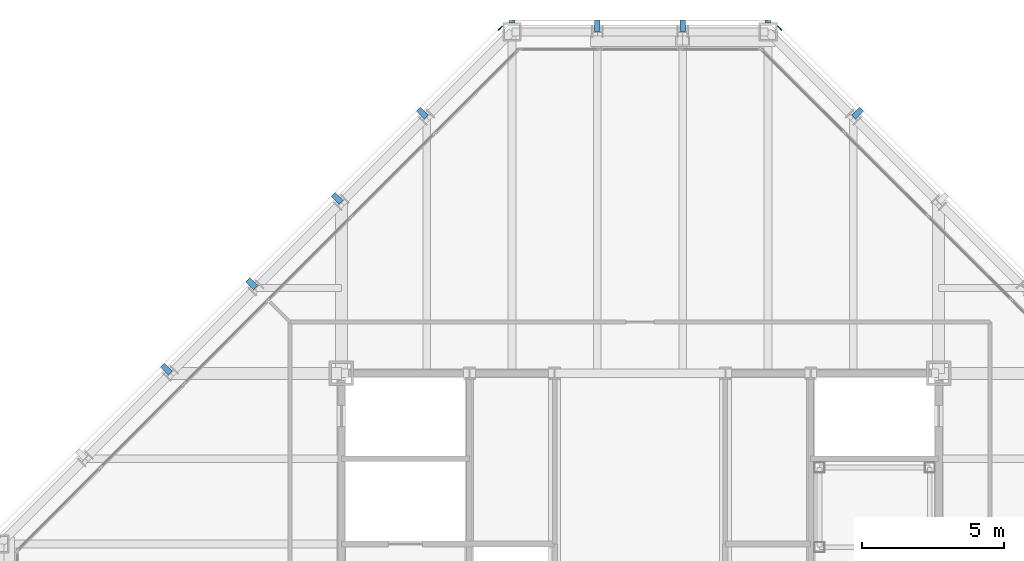
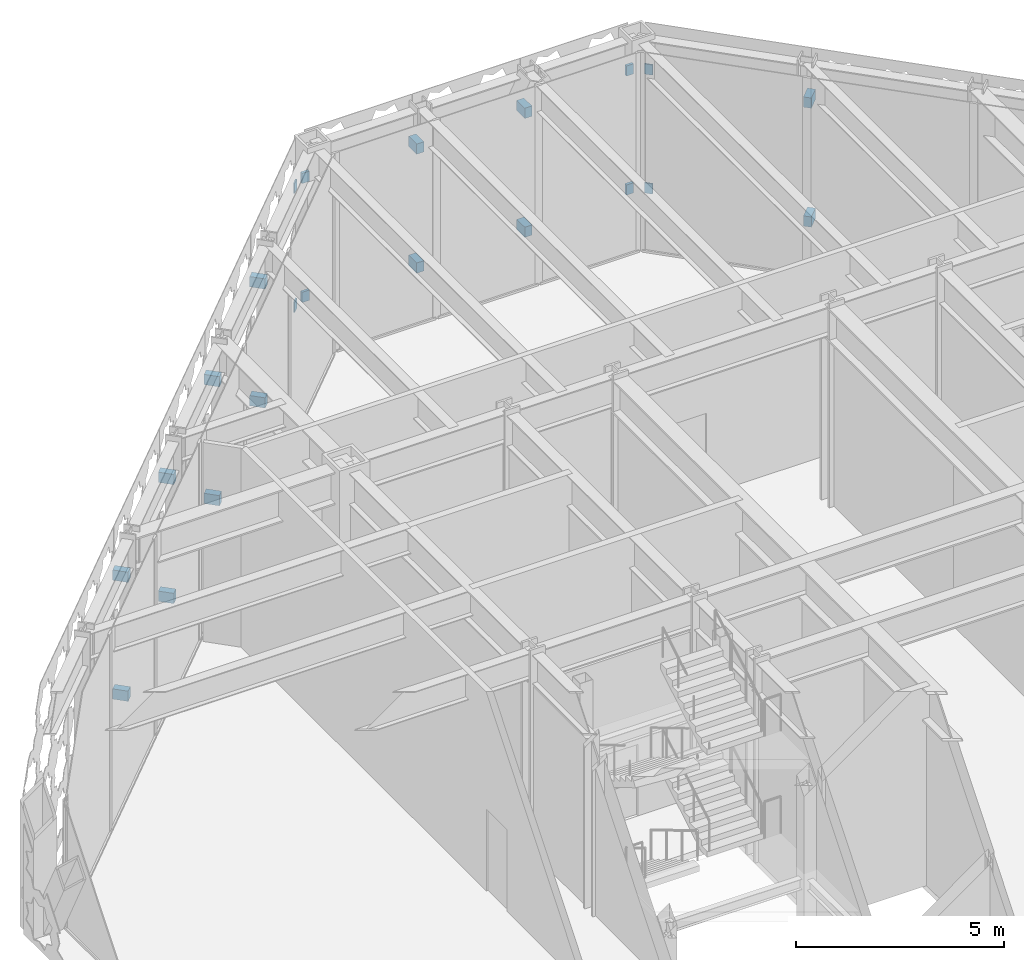
# One storey, part 16 of 28: 22 discrete accessories.
"""IFC4 building model written with IfcOpenShell, lengths in metres."""

from ifc_helpers import new_model, si_unit, direction, frame, origin, origin_2d, place, context, subcontext, project, spatial, rectangle, extrude, material, type_object, element, save


model = new_model("IFC4")

# Units and contexts
model_context = context("Model", 3, precision=1e-05, world=origin(), true_north=direction((0.0, 1.0)))
body_context = subcontext(model_context, "Body", "Model", "MODEL_VIEW")
ifc_project = project(units=[si_unit("LENGTHUNIT", "METRE"), si_unit("AREAUNIT", "SQUARE_METRE"), si_unit("VOLUMEUNIT", "CUBIC_METRE"), si_unit("PLANEANGLEUNIT", "RADIAN"), si_unit("MASSUNIT", "GRAM", prefix="KILO")], contexts=[model_context])

# Site, building, storey
site_placement = place(None, origin())
site = spatial("IfcSite", under=ifc_project, at=site_placement, CompositionType="ELEMENT")
building_placement = place(site_placement, origin())
building = spatial("IfcBuilding", under=site, at=building_placement, Name="Chuquiago Exchange Tower", CompositionType="ELEMENT")
storey_placement = place(building_placement, frame((0.0, 0.0, 300.0)))
storey = spatial("IfcBuildingStorey", under=building, at=storey_placement, Name="L67", CompositionType="ELEMENT", Elevation=300.0)

# Discrete accessories
ifc_material_1 = material(Name="Stainless steel plate bracket", Category="steel")
discrete_accessory_type_1 = type_object("IfcDiscreteAccessoryType", Name="GB1 cladding bracket 388", PredefinedType="BRACKET", material=ifc_material_1)
for number, where, z_axis, x_axis, name in (
    (1, (24.0, 45.206298828125, 1.0048828125), (0.0, 0.0, 1.0), (-1.0, 0.0, 0.0), "Cladding bracket L67 N"),
    (2, (24.0, 45.206298828125, 4.4951171875), (0.0, 0.0, 1.0), (-1.0, 0.0, 0.0), "Cladding bracket L67 N"),
    (3, (21.0, 45.206298828125, 1.0048828125), (0.0, 0.0, 1.0), (-1.0, 0.0, 0.0), "Cladding bracket L67 N"),
    (4, (21.0, 45.206298828125, 4.4951171875), (0.0, 0.0, 1.0), (-1.0, 0.0, 0.0), "Cladding bracket L67 N"),
):
    element("IfcDiscreteAccessory", number, at=place(storey_placement, frame(where, z_axis=z_axis, x_axis=x_axis)), inside=storey, type_object=discrete_accessory_type_1, Name=name, PredefinedType="BRACKET", context=body_context, shape_type="SweptSolid", body=[
        extrude(rectangle(XDim=0.199951171875, YDim=0.3876953125, at=origin_2d()), origin(), (0.0, 0.0, 1.0), 0.300048828125),
    ])
ifc_material_2 = material(Name="Stainless steel plate bracket", Category="steel")
discrete_accessory_type_2 = type_object("IfcDiscreteAccessoryType", Name="GB2 cladding bracket 386", PredefinedType="BRACKET", material=ifc_material_2)
for number, where, z_axis, x_axis, name in (
    (5, (30.146240234375, 42.146240234375, 1.0048828125), (0.0, 0.0, 1.0), (-0.707106781187, 0.707106781187, 0.0), "Cladding bracket L67 NE"),
    (6, (30.146240234375, 42.146240234375, 4.4951171875), (0.0, 0.0, 1.0), (-0.707106781187, 0.707106781187, 0.0), "Cladding bracket L67 NE"),
    (7, (14.853759765625, 42.146240234375, 1.0048828125), (0.0, 0.0, 1.0), (-0.707106781187, -0.707106781187, 0.0), "Cladding bracket L67 NW"),
    (8, (14.853759765625, 42.146240234375, 4.4951171875), (0.0, 0.0, 1.0), (-0.707106781187, -0.707106781187, 0.0), "Cladding bracket L67 NW"),
    (9, (11.853759765625, 39.146240234375, 1.0048828125), (0.0, 0.0, 1.0), (-0.707106781187, -0.707106781187, 0.0), "Cladding bracket L67 NW"),
    (10, (11.853759765625, 39.146240234375, 4.4951171875), (0.0, 0.0, 1.0), (-0.707106781187, -0.707106781187, 0.0), "Cladding bracket L67 NW"),
    (11, (8.853759765625, 36.146240234375, 1.0048828125), (0.0, 0.0, 1.0), (-0.707106781187, -0.707106781187, 0.0), "Cladding bracket L67 NW"),
    (12, (8.853759765625, 36.146240234375, 4.4951171875), (0.0, 0.0, 1.0), (-0.707106781187, -0.707106781187, 0.0), "Cladding bracket L67 NW"),
    (13, (5.853759765625, 33.146240234375, 1.0048828125), (0.0, 0.0, 1.0), (-0.707106781187, -0.707106781187, 0.0), "Cladding bracket L67 NW"),
    (14, (5.853759765625, 33.146240234375, 4.4951171875), (0.0, 0.0, 1.0), (-0.707106781187, -0.707106781187, 0.0), "Cladding bracket L67 NW"),
):
    element("IfcDiscreteAccessory", number, at=place(storey_placement, frame(where, z_axis=z_axis, x_axis=x_axis)), inside=storey, type_object=discrete_accessory_type_2, Name=name, PredefinedType="BRACKET", context=body_context, shape_type="SweptSolid", body=[
        extrude(rectangle(XDim=0.199951171875, YDim=0.386474609375, at=origin_2d()), origin(), (0.0, 0.0, 1.0), 0.300048828125),
    ])
ifc_material_3 = material(Name="Stainless steel plate bracket", Category="steel")
discrete_accessory_type_3 = type_object("IfcDiscreteAccessoryType", Name="GB4 cladding bracket 75", PredefinedType="BRACKET", material=ifc_material_3)
for number, where, z_axis, x_axis, name in (
    (15, (27.0, 45.362548828125, 1.0048828125), (0.0, 0.0, 1.0), (-1.0, 0.0, 0.0), "Cladding bracket L67 N"),
    (16, (27.0, 45.362548828125, 4.4951171875), (0.0, 0.0, 1.0), (-1.0, 0.0, 0.0), "Cladding bracket L67 N"),
    (17, (18.0, 45.362548828125, 1.0048828125), (0.0, 0.0, 1.0), (-1.0, 0.0, 0.0), "Cladding bracket L67 N"),
    (18, (18.0, 45.362548828125, 4.4951171875), (0.0, 0.0, 1.0), (-1.0, 0.0, 0.0), "Cladding bracket L67 N"),
):
    element("IfcDiscreteAccessory", number, at=place(storey_placement, frame(where, z_axis=z_axis, x_axis=x_axis)), inside=storey, type_object=discrete_accessory_type_3, Name=name, PredefinedType="BRACKET", context=body_context, shape_type="SweptSolid", body=[
        extrude(rectangle(XDim=0.199951171875, YDim=0.074951171875, at=origin_2d()), origin(), (0.0, 0.0, 1.0), 0.300048828125),
    ])
ifc_material_4 = material(Name="Stainless steel plate bracket", Category="steel")
discrete_accessory_type_4 = type_object("IfcDiscreteAccessoryType", Name="GB6 cladding bracket 35", PredefinedType="BRACKET", material=ifc_material_4)
for number, where, z_axis, x_axis, name in (
    (19, (27.408203125, 45.132568359375, 1.0048828125), (0.0, 0.0, 1.0), (-0.707106781187, 0.707106781187, 0.0), "Cladding bracket L67 NE"),
    (20, (27.408203125, 45.132568359375, 4.4951171875), (0.0, 0.0, 1.0), (-0.707106781187, 0.707106781187, 0.0), "Cladding bracket L67 NE"),
    (21, (17.591796875, 45.13232421875, 1.0048828125), (0.0, 0.0, 1.0), (-0.707106781187, -0.707106781187, 0.0), "Cladding bracket L67 NW"),
    (22, (17.591796875, 45.13232421875, 4.4951171875), (0.0, 0.0, 1.0), (-0.707106781187, -0.707106781187, 0.0), "Cladding bracket L67 NW"),
):
    element("IfcDiscreteAccessory", number, at=place(storey_placement, frame(where, z_axis=z_axis, x_axis=x_axis)), inside=storey, type_object=discrete_accessory_type_4, Name=name, PredefinedType="BRACKET", context=body_context, shape_type="SweptSolid", body=[
        extrude(rectangle(XDim=0.199951171875, YDim=0.035400390625, at=origin_2d()), origin(), (0.0, 0.0, 1.0), 0.300048828125),
    ])

save(model, "model.ifc")
